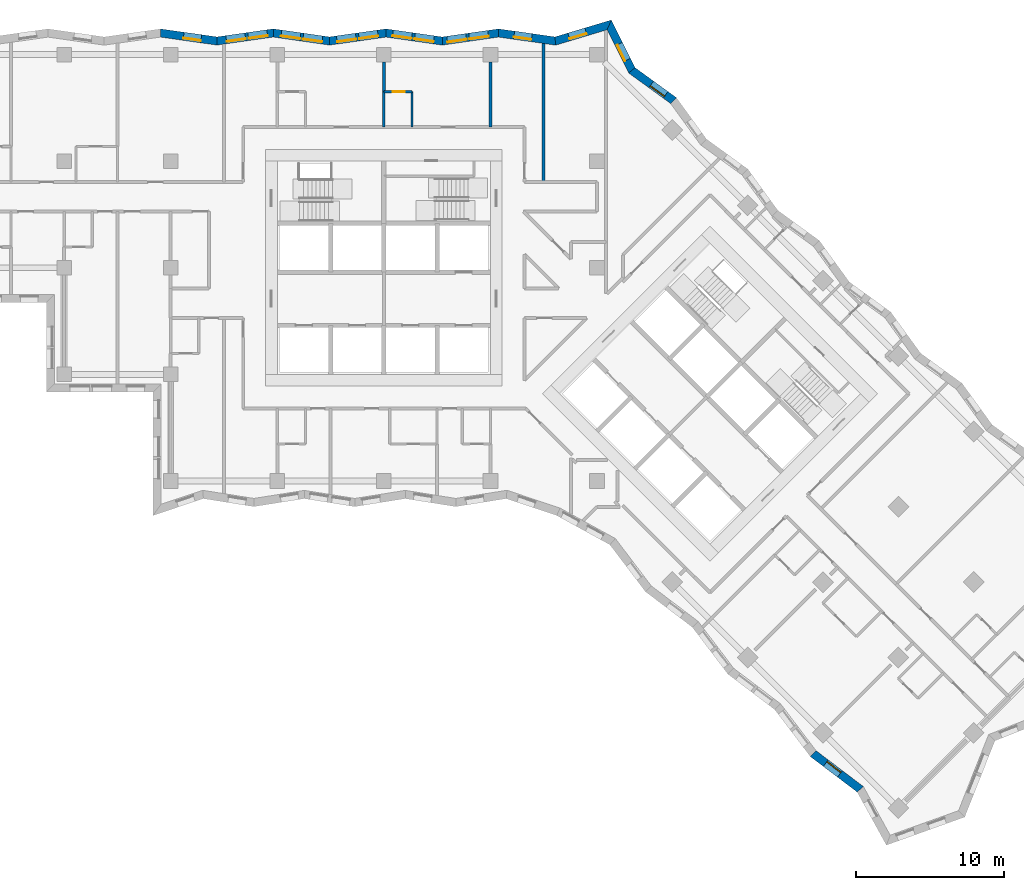
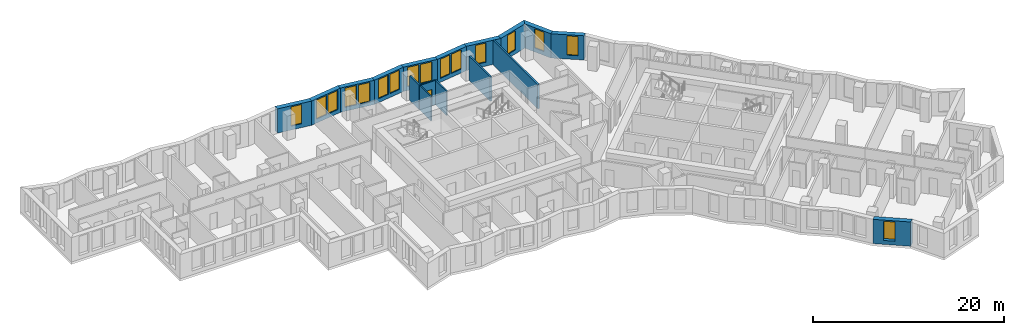
# One storey, part 7 of 13: 17 walls, 16 windows, 1 door, 17 openings.
"""IFC4 building model written with IfcOpenShell, lengths in metres."""

from ifc_helpers import new_model, si_unit, direction, frame, frame_2d, origin, place, context, subcontext, project, spatial, polyline, rectangle, outline, extrude, material, layer, layer_set, type_object, element, fill, save


model = new_model("IFC4")

# Units and contexts
model_context = context("Model", 3, precision=1e-05, world=origin(), true_north=direction((0.0, 1.0)))
body_context = subcontext(model_context, "Body", "Model", "MODEL_VIEW")
ifc_project = project(units=[si_unit("LENGTHUNIT", "METRE"), si_unit("AREAUNIT", "SQUARE_METRE"), si_unit("VOLUMEUNIT", "CUBIC_METRE"), si_unit("PLANEANGLEUNIT", "RADIAN"), si_unit("MASSUNIT", "GRAM", prefix="KILO")], contexts=[model_context])

# Site, building, storey
site_placement = place(None, origin())
site = spatial("IfcSite", under=ifc_project, at=site_placement, CompositionType="ELEMENT")
building_placement = place(site_placement, origin())
building = spatial("IfcBuilding", under=site, at=building_placement, Name="Windrow Commons", CompositionType="ELEMENT")
storey_placement = place(building_placement, frame((0.0, 0.0, 108.4)))
storey = spatial("IfcBuildingStorey", under=building, at=storey_placement, Name="L29", CompositionType="ELEMENT", Elevation=108.4)

# Wall, opening, window
ifc_material_1 = material(Name="Brick masonry, red clay brick", Category="masonry")
ifc_layer_1 = layer(ifc_material_1, 0.55)
ifc_layer_set_1 = layer_set([ifc_layer_1], Name="Brick facade wall 550")
wall_type_1 = type_object("IfcWallType", Name="Brick facade wall 550", PredefinedType="SOLIDWALL", material=ifc_layer_set_1)
wall_1_placement = place(storey_placement, frame((84.3745, 68.8953, 0.0), z_axis=(0.0, 0.0, 1.0), x_axis=(-0.8092715214, 0.5874347663, 0.0)))
wall_1 = element("IfcWall", 1, at=wall_1_placement, inside=storey, type_object=wall_type_1, Name="Brick facade wall L29 19", PredefinedType="SOLIDWALL", context=body_context, shape_type="SweptSolid", body=[
    extrude(outline(polyline([(-0.0437, -0.275), (3.4112, -0.275), (3.546, 0.275), (0.0437, 0.275), (-0.0437, -0.275)])), origin(), (0.0, 0.0, 1.0), 3.1),
])
opening_1_placement = place(wall_1_placement, frame((0.6631, 0.0, 0.5)))
opening_1 = element("IfcOpeningElement", 2, at=opening_1_placement, cuts=wall_1, Name="Opening W7D", PredefinedType="OPENING", context=body_context, shape_type="SweptSolid", body=[
    extrude(rectangle(XDim=1.2, YDim=2.45, at=frame_2d((0.6, 1.225))), frame((0.0, 0.285, 0.0), z_axis=(0.0, -1.0, 0.0), x_axis=(1.0, 0.0, 0.0)), (0.0, 0.0, 1.0), 0.57),
])
ifc_material_2 = material(Name="Clear float glass in anodised aluminium frame", Category="aluminium")
window_type_1 = type_object("IfcWindowType", Name="Window W7 notch 1200x2450", PartitioningType="SINGLE_PANEL", PredefinedType="WINDOW", material=ifc_material_2)
window_1_placement = place(opening_1_placement, origin())
window_1 = element("IfcWindow", 3, at=window_1_placement, inside=storey, type_object=window_type_1, Name="Window L29 19.1", OverallHeight=2.45, OverallWidth=1.2, PartitioningType="SINGLE_PANEL", PredefinedType="WINDOW", context=body_context, shape_type="SweptSolid", body=[
    extrude(rectangle(XDim=1.2, YDim=2.45, at=frame_2d((0.6, 1.225))), frame((0.0, 0.155, 0.0), z_axis=(0.0, -1.0, 0.0), x_axis=(1.0, 0.0, 0.0)), (0.0, 0.0, 1.0), 0.06),
])
fill(opening_1, window_1)

wall_2_placement = place(storey_placement, frame((81.5593, 70.9388, 0.0), z_axis=(0.0, 0.0, 1.0), x_axis=(-0.4461299754, 0.894968181, 0.0)))
wall_2 = element("IfcWall", 4, at=wall_2_placement, inside=storey, type_object=wall_type_1, Name="Brick facade wall L29 20", PredefinedType="SOLIDWALL", context=body_context, shape_type="SweptSolid", body=[
    extrude(outline(polyline([(0.0674, -0.275), (3.6656, -0.275), (3.2024, 0.275), (-0.0674, 0.275), (0.0674, -0.275)])), origin(), (0.0, 0.0, 1.0), 3.1),
])
opening_2_placement = place(wall_2_placement, frame((0.7753, 0.0, 0.5)))
opening_2 = element("IfcOpeningElement", 5, at=opening_2_placement, cuts=wall_2, Name="Opening W7D", PredefinedType="OPENING", context=body_context, shape_type="SweptSolid", body=[
    extrude(rectangle(XDim=1.2, YDim=2.45, at=frame_2d((0.6, 1.225))), frame((0.0, 0.285, 0.0), z_axis=(0.0, -1.0, 0.0), x_axis=(1.0, 0.0, 0.0)), (0.0, 0.0, 1.0), 0.57),
])
window_2_placement = place(opening_2_placement, origin())
window_2 = element("IfcWindow", 6, at=window_2_placement, inside=storey, type_object=window_type_1, Name="Window L29 20.1", OverallHeight=2.45, OverallWidth=1.2, PartitioningType="SINGLE_PANEL", PredefinedType="WINDOW", context=body_context, shape_type="SweptSolid", body=[
    extrude(rectangle(XDim=1.2, YDim=2.45, at=frame_2d((0.6, 1.225))), frame((0.0, 0.155, 0.0), z_axis=(0.0, -1.0, 0.0), x_axis=(1.0, 0.0, 0.0)), (0.0, 0.0, 1.0), 0.06),
])
fill(opening_2, window_2)

wall_3_placement = place(storey_placement, frame((80.0273, 74.0121, 0.0), z_axis=(0.0, 0.0, 1.0), x_axis=(-0.9578284561, -0.2873406493, 0.0)))
wall_3 = element("IfcWall", 7, at=wall_3_placement, inside=storey, type_object=wall_type_1, Name="Brick facade wall L29 21", PredefinedType="SOLIDWALL", context=body_context, shape_type="SweptSolid", body=[
    extrude(outline(polyline([(-0.2316, -0.275), (3.743, -0.275), (3.8639, 0.275), (0.2316, 0.275), (-0.2316, -0.275)])), origin(), (0.0, 0.0, 1.0), 3.1),
])
opening_3_placement = place(wall_3_placement, frame((1.6336, 0.0, 0.5)))
opening_3 = element("IfcOpeningElement", 8, at=opening_3_placement, cuts=wall_3, Name="Opening W7D", PredefinedType="OPENING", context=body_context, shape_type="SweptSolid", body=[
    extrude(rectangle(XDim=1.2, YDim=2.45, at=frame_2d((0.6, 1.225))), frame((0.0, 0.285, 0.0), z_axis=(0.0, -1.0, 0.0), x_axis=(1.0, 0.0, 0.0)), (0.0, 0.0, 1.0), 0.57),
])
window_3_placement = place(opening_3_placement, origin())
window_3 = element("IfcWindow", 9, at=window_3_placement, inside=storey, type_object=window_type_1, Name="Window L29 21.1", OverallHeight=2.45, OverallWidth=1.2, PartitioningType="SINGLE_PANEL", PredefinedType="WINDOW", context=body_context, shape_type="SweptSolid", body=[
    extrude(rectangle(XDim=1.2, YDim=2.45, at=frame_2d((0.6, 1.225))), frame((0.0, 0.155, 0.0), z_axis=(0.0, -1.0, 0.0), x_axis=(1.0, 0.0, 0.0)), (0.0, 0.0, 1.0), 0.06),
])
fill(opening_3, window_3)

wall_4_placement = place(storey_placement, frame((76.3842, 72.9192, 0.0), z_axis=(0.0, 0.0, 1.0), x_axis=(-0.9900171381, 0.1409470338, 0.0)))
wall_4 = element("IfcWall", 10, at=wall_4_placement, inside=storey, type_object=wall_type_1, Name="Brick facade wall L29 22", PredefinedType="SOLIDWALL", context=body_context, shape_type="SweptSolid", body=[
    extrude(outline(polyline([(0.0605, -0.275), (3.9059, -0.275), (3.8276, 0.275), (-0.0605, 0.275), (0.0605, -0.275)])), origin(), (0.0, 0.0, 1.0), 3.1),
])
opening_4_placement = place(wall_4_placement, frame((1.6098, 0.0, 0.5)))
opening_4 = element("IfcOpeningElement", 11, at=opening_4_placement, cuts=wall_4, Name="Opening W7D", PredefinedType="OPENING", context=body_context, shape_type="SweptSolid", body=[
    extrude(rectangle(XDim=1.2, YDim=2.45, at=frame_2d((0.6, 1.225))), frame((0.0, 0.285, 0.0), z_axis=(0.0, -1.0, 0.0), x_axis=(1.0, 0.0, 0.0)), (0.0, 0.0, 1.0), 0.57),
])
window_4_placement = place(opening_4_placement, origin())
window_4 = element("IfcWindow", 12, at=window_4_placement, inside=storey, type_object=window_type_1, Name="Window L29 22.1", OverallHeight=2.45, OverallWidth=1.2, PartitioningType="SINGLE_PANEL", PredefinedType="WINDOW", context=body_context, shape_type="SweptSolid", body=[
    extrude(rectangle(XDim=1.2, YDim=2.45, at=frame_2d((0.6, 1.225))), frame((0.0, 0.155, 0.0), z_axis=(0.0, -1.0, 0.0), x_axis=(1.0, 0.0, 0.0)), (0.0, 0.0, 1.0), 0.06),
])
fill(opening_4, window_4)

# Wall, openings, windows
wall_5_placement = place(storey_placement, frame((72.5561, 73.4642, 0.0), z_axis=(0.0, 0.0, 1.0), x_axis=(-0.990016994, -0.1409480459, 0.0)))
wall_5 = element("IfcWall", 13, at=wall_5_placement, inside=storey, type_object=wall_type_1, Name="Brick facade wall L29 23", PredefinedType="SOLIDWALL", context=body_context, shape_type="SweptSolid", body=[
    extrude(outline(polyline([(-0.0392, -0.275), (3.8062, -0.275), (3.8845, 0.275), (0.0392, 0.275), (-0.0392, -0.275)])), origin(), (0.0, 0.0, 1.0), 3.1),
])
opening_5_placement = place(wall_5_placement, frame((0.7036, 0.0, 0.5)))
opening_5 = element("IfcOpeningElement", 14, at=opening_5_placement, cuts=wall_5, Name="Opening W1P", PredefinedType="OPENING", context=body_context, shape_type="SweptSolid", body=[
    extrude(rectangle(XDim=1.3, YDim=2.45, at=frame_2d((0.65, 1.225))), frame((0.0, 0.285, 0.0), z_axis=(0.0, -1.0, 0.0), x_axis=(1.0, 0.0, 0.0)), (0.0, 0.0, 1.0), 0.57),
])
opening_6_placement = place(wall_5_placement, frame((2.2036, 0.0, 0.5)))
opening_6 = element("IfcOpeningElement", 15, at=opening_6_placement, cuts=wall_5, Name="Opening W1P", PredefinedType="OPENING", context=body_context, shape_type="SweptSolid", body=[
    extrude(rectangle(XDim=1.3, YDim=2.45, at=frame_2d((0.65, 1.225))), frame((0.0, 0.285, 0.0), z_axis=(0.0, -1.0, 0.0), x_axis=(1.0, 0.0, 0.0)), (0.0, 0.0, 1.0), 0.57),
])
ifc_material_3 = material(Name="Clear float glass in anodised aluminium frame", Category="aluminium")
window_type_2 = type_object("IfcWindowType", Name="Window W1P pair 1300x2450", PartitioningType="SINGLE_PANEL", PredefinedType="WINDOW", material=ifc_material_3)
window_5_placement = place(opening_5_placement, origin())
window_5 = element("IfcWindow", 16, at=window_5_placement, inside=storey, type_object=window_type_2, Name="Window L29 23.1A", OverallHeight=2.45, OverallWidth=1.3, PartitioningType="SINGLE_PANEL", PredefinedType="WINDOW", context=body_context, shape_type="SweptSolid", body=[
    extrude(rectangle(XDim=1.3, YDim=2.45, at=frame_2d((0.65, 1.225))), frame((0.0, 0.155, 0.0), z_axis=(0.0, -1.0, 0.0), x_axis=(1.0, 0.0, 0.0)), (0.0, 0.0, 1.0), 0.06),
])
fill(opening_5, window_5)
window_6_placement = place(opening_6_placement, origin())
window_6 = element("IfcWindow", 17, at=window_6_placement, inside=storey, type_object=window_type_2, Name="Window L29 23.1B", OverallHeight=2.45, OverallWidth=1.3, PartitioningType="SINGLE_PANEL", PredefinedType="WINDOW", context=body_context, shape_type="SweptSolid", body=[
    extrude(rectangle(XDim=1.3, YDim=2.45, at=frame_2d((0.65, 1.225))), frame((0.0, 0.155, 0.0), z_axis=(0.0, -1.0, 0.0), x_axis=(1.0, 0.0, 0.0)), (0.0, 0.0, 1.0), 0.06),
])
fill(opening_6, window_6)

wall_6_placement = place(storey_placement, frame((68.7491, 72.9222, 0.0), z_axis=(0.0, 0.0, 1.0), x_axis=(-0.990016994, 0.1409480459, 0.0)))
wall_6 = element("IfcWall", 18, at=wall_6_placement, inside=storey, type_object=wall_type_1, Name="Brick facade wall L29 24", PredefinedType="SOLIDWALL", context=body_context, shape_type="SweptSolid", body=[
    extrude(outline(polyline([(0.0392, -0.275), (3.8845, -0.275), (3.8062, 0.275), (-0.0392, 0.275), (0.0392, -0.275)])), origin(), (0.0, 0.0, 1.0), 3.1),
])
opening_7_placement = place(wall_6_placement, frame((0.5794, 0.0, 0.5)))
opening_7 = element("IfcOpeningElement", 19, at=opening_7_placement, cuts=wall_6, Name="Opening W1P", PredefinedType="OPENING", context=body_context, shape_type="SweptSolid", body=[
    extrude(rectangle(XDim=1.3, YDim=2.45, at=frame_2d((0.65, 1.225))), frame((0.0, 0.285, 0.0), z_axis=(0.0, -1.0, 0.0), x_axis=(1.0, 0.0, 0.0)), (0.0, 0.0, 1.0), 0.57),
])
opening_8_placement = place(wall_6_placement, frame((2.0794, 0.0, 0.5)))
opening_8 = element("IfcOpeningElement", 20, at=opening_8_placement, cuts=wall_6, Name="Opening W1P", PredefinedType="OPENING", context=body_context, shape_type="SweptSolid", body=[
    extrude(rectangle(XDim=1.3, YDim=2.45, at=frame_2d((0.65, 1.225))), frame((0.0, 0.285, 0.0), z_axis=(0.0, -1.0, 0.0), x_axis=(1.0, 0.0, 0.0)), (0.0, 0.0, 1.0), 0.57),
])
window_7_placement = place(opening_7_placement, origin())
window_7 = element("IfcWindow", 21, at=window_7_placement, inside=storey, type_object=window_type_2, Name="Window L29 24.1A", OverallHeight=2.45, OverallWidth=1.3, PartitioningType="SINGLE_PANEL", PredefinedType="WINDOW", context=body_context, shape_type="SweptSolid", body=[
    extrude(rectangle(XDim=1.3, YDim=2.45, at=frame_2d((0.65, 1.225))), frame((0.0, 0.155, 0.0), z_axis=(0.0, -1.0, 0.0), x_axis=(1.0, 0.0, 0.0)), (0.0, 0.0, 1.0), 0.06),
])
fill(opening_7, window_7)
window_8_placement = place(opening_8_placement, origin())
window_8 = element("IfcWindow", 22, at=window_8_placement, inside=storey, type_object=window_type_2, Name="Window L29 24.1B", OverallHeight=2.45, OverallWidth=1.3, PartitioningType="SINGLE_PANEL", PredefinedType="WINDOW", context=body_context, shape_type="SweptSolid", body=[
    extrude(rectangle(XDim=1.3, YDim=2.45, at=frame_2d((0.65, 1.225))), frame((0.0, 0.155, 0.0), z_axis=(0.0, -1.0, 0.0), x_axis=(1.0, 0.0, 0.0)), (0.0, 0.0, 1.0), 0.06),
])
fill(opening_8, window_8)

wall_7_placement = place(storey_placement, frame((64.9421, 73.4642, 0.0), z_axis=(0.0, 0.0, 1.0), x_axis=(-0.990016994, -0.1409480459, 0.0)))
wall_7 = element("IfcWall", 23, at=wall_7_placement, inside=storey, type_object=wall_type_1, Name="Brick facade wall L29 25", PredefinedType="SOLIDWALL", context=body_context, shape_type="SweptSolid", body=[
    extrude(outline(polyline([(-0.0392, -0.275), (3.8062, -0.275), (3.8845, 0.275), (0.0392, 0.275), (-0.0392, -0.275)])), origin(), (0.0, 0.0, 1.0), 3.1),
])
opening_9_placement = place(wall_7_placement, frame((0.5423, 0.0, 0.5)))
opening_9 = element("IfcOpeningElement", 24, at=opening_9_placement, cuts=wall_7, Name="Opening W1P", PredefinedType="OPENING", context=body_context, shape_type="SweptSolid", body=[
    extrude(rectangle(XDim=1.3, YDim=2.45, at=frame_2d((0.65, 1.225))), frame((0.0, 0.285, 0.0), z_axis=(0.0, -1.0, 0.0), x_axis=(1.0, 0.0, 0.0)), (0.0, 0.0, 1.0), 0.57),
])
opening_10_placement = place(wall_7_placement, frame((2.0423, 0.0, 0.5)))
opening_10 = element("IfcOpeningElement", 25, at=opening_10_placement, cuts=wall_7, Name="Opening W1P", PredefinedType="OPENING", context=body_context, shape_type="SweptSolid", body=[
    extrude(rectangle(XDim=1.3, YDim=2.45, at=frame_2d((0.65, 1.225))), frame((0.0, 0.285, 0.0), z_axis=(0.0, -1.0, 0.0), x_axis=(1.0, 0.0, 0.0)), (0.0, 0.0, 1.0), 0.57),
])
window_9_placement = place(opening_9_placement, origin())
window_9 = element("IfcWindow", 26, at=window_9_placement, inside=storey, type_object=window_type_2, Name="Window L29 25.1A", OverallHeight=2.45, OverallWidth=1.3, PartitioningType="SINGLE_PANEL", PredefinedType="WINDOW", context=body_context, shape_type="SweptSolid", body=[
    extrude(rectangle(XDim=1.3, YDim=2.45, at=frame_2d((0.65, 1.225))), frame((0.0, 0.155, 0.0), z_axis=(0.0, -1.0, 0.0), x_axis=(1.0, 0.0, 0.0)), (0.0, 0.0, 1.0), 0.06),
])
fill(opening_9, window_9)
window_10_placement = place(opening_10_placement, origin())
window_10 = element("IfcWindow", 27, at=window_10_placement, inside=storey, type_object=window_type_2, Name="Window L29 25.1B", OverallHeight=2.45, OverallWidth=1.3, PartitioningType="SINGLE_PANEL", PredefinedType="WINDOW", context=body_context, shape_type="SweptSolid", body=[
    extrude(rectangle(XDim=1.3, YDim=2.45, at=frame_2d((0.65, 1.225))), frame((0.0, 0.155, 0.0), z_axis=(0.0, -1.0, 0.0), x_axis=(1.0, 0.0, 0.0)), (0.0, 0.0, 1.0), 0.06),
])
fill(opening_10, window_10)

wall_8_placement = place(storey_placement, frame((61.1351, 72.9222, 0.0), z_axis=(0.0, 0.0, 1.0), x_axis=(-0.990016994, 0.1409480459, 0.0)))
wall_8 = element("IfcWall", 28, at=wall_8_placement, inside=storey, type_object=wall_type_1, Name="Brick facade wall L29 26", PredefinedType="SOLIDWALL", context=body_context, shape_type="SweptSolid", body=[
    extrude(outline(polyline([(0.0392, -0.275), (3.8845, -0.275), (3.8062, 0.275), (-0.0392, 0.275), (0.0392, -0.275)])), origin(), (0.0, 0.0, 1.0), 3.1),
])
opening_11_placement = place(wall_8_placement, frame((0.5031, 0.0, 0.5)))
opening_11 = element("IfcOpeningElement", 29, at=opening_11_placement, cuts=wall_8, Name="Opening W1P", PredefinedType="OPENING", context=body_context, shape_type="SweptSolid", body=[
    extrude(rectangle(XDim=1.3, YDim=2.45, at=frame_2d((0.65, 1.225))), frame((0.0, 0.285, 0.0), z_axis=(0.0, -1.0, 0.0), x_axis=(1.0, 0.0, 0.0)), (0.0, 0.0, 1.0), 0.57),
])
opening_12_placement = place(wall_8_placement, frame((2.0031, 0.0, 0.5)))
opening_12 = element("IfcOpeningElement", 30, at=opening_12_placement, cuts=wall_8, Name="Opening W1P", PredefinedType="OPENING", context=body_context, shape_type="SweptSolid", body=[
    extrude(rectangle(XDim=1.3, YDim=2.45, at=frame_2d((0.65, 1.225))), frame((0.0, 0.285, 0.0), z_axis=(0.0, -1.0, 0.0), x_axis=(1.0, 0.0, 0.0)), (0.0, 0.0, 1.0), 0.57),
])
window_11_placement = place(opening_11_placement, origin())
window_11 = element("IfcWindow", 31, at=window_11_placement, inside=storey, type_object=window_type_2, Name="Window L29 26.1A", OverallHeight=2.45, OverallWidth=1.3, PartitioningType="SINGLE_PANEL", PredefinedType="WINDOW", context=body_context, shape_type="SweptSolid", body=[
    extrude(rectangle(XDim=1.3, YDim=2.45, at=frame_2d((0.65, 1.225))), frame((0.0, 0.155, 0.0), z_axis=(0.0, -1.0, 0.0), x_axis=(1.0, 0.0, 0.0)), (0.0, 0.0, 1.0), 0.06),
])
fill(opening_11, window_11)
window_12_placement = place(opening_12_placement, origin())
window_12 = element("IfcWindow", 32, at=window_12_placement, inside=storey, type_object=window_type_2, Name="Window L29 26.1B", OverallHeight=2.45, OverallWidth=1.3, PartitioningType="SINGLE_PANEL", PredefinedType="WINDOW", context=body_context, shape_type="SweptSolid", body=[
    extrude(rectangle(XDim=1.3, YDim=2.45, at=frame_2d((0.65, 1.225))), frame((0.0, 0.155, 0.0), z_axis=(0.0, -1.0, 0.0), x_axis=(1.0, 0.0, 0.0)), (0.0, 0.0, 1.0), 0.06),
])
fill(opening_12, window_12)

wall_9_placement = place(storey_placement, frame((57.3281, 73.4642, 0.0), z_axis=(0.0, 0.0, 1.0), x_axis=(-0.990016994, -0.1409480459, 0.0)))
wall_9 = element("IfcWall", 33, at=wall_9_placement, inside=storey, type_object=wall_type_1, Name="Brick facade wall L29 27", PredefinedType="SOLIDWALL", context=body_context, shape_type="SweptSolid", body=[
    extrude(outline(polyline([(-0.0392, -0.275), (3.8062, -0.275), (3.8845, 0.275), (0.0392, 0.275), (-0.0392, -0.275)])), origin(), (0.0, 0.0, 1.0), 3.1),
])
opening_13_placement = place(wall_9_placement, frame((0.4004, 0.0, 0.5)))
opening_13 = element("IfcOpeningElement", 34, at=opening_13_placement, cuts=wall_9, Name="Opening W1P", PredefinedType="OPENING", context=body_context, shape_type="SweptSolid", body=[
    extrude(rectangle(XDim=1.3, YDim=2.45, at=frame_2d((0.65, 1.225))), frame((0.0, 0.285, 0.0), z_axis=(0.0, -1.0, 0.0), x_axis=(1.0, 0.0, 0.0)), (0.0, 0.0, 1.0), 0.57),
])
opening_14_placement = place(wall_9_placement, frame((1.9004, 0.0, 0.5)))
opening_14 = element("IfcOpeningElement", 35, at=opening_14_placement, cuts=wall_9, Name="Opening W1P", PredefinedType="OPENING", context=body_context, shape_type="SweptSolid", body=[
    extrude(rectangle(XDim=1.3, YDim=2.45, at=frame_2d((0.65, 1.225))), frame((0.0, 0.285, 0.0), z_axis=(0.0, -1.0, 0.0), x_axis=(1.0, 0.0, 0.0)), (0.0, 0.0, 1.0), 0.57),
])
window_13_placement = place(opening_13_placement, origin())
window_13 = element("IfcWindow", 36, at=window_13_placement, inside=storey, type_object=window_type_2, Name="Window L29 27.1A", OverallHeight=2.45, OverallWidth=1.3, PartitioningType="SINGLE_PANEL", PredefinedType="WINDOW", context=body_context, shape_type="SweptSolid", body=[
    extrude(rectangle(XDim=1.3, YDim=2.45, at=frame_2d((0.65, 1.225))), frame((0.0, 0.155, 0.0), z_axis=(0.0, -1.0, 0.0), x_axis=(1.0, 0.0, 0.0)), (0.0, 0.0, 1.0), 0.06),
])
fill(opening_13, window_13)
window_14_placement = place(opening_14_placement, origin())
window_14 = element("IfcWindow", 37, at=window_14_placement, inside=storey, type_object=window_type_2, Name="Window L29 27.1B", OverallHeight=2.45, OverallWidth=1.3, PartitioningType="SINGLE_PANEL", PredefinedType="WINDOW", context=body_context, shape_type="SweptSolid", body=[
    extrude(rectangle(XDim=1.3, YDim=2.45, at=frame_2d((0.65, 1.225))), frame((0.0, 0.155, 0.0), z_axis=(0.0, -1.0, 0.0), x_axis=(1.0, 0.0, 0.0)), (0.0, 0.0, 1.0), 0.06),
])
fill(opening_14, window_14)

# Wall, opening, window
wall_10_placement = place(storey_placement, frame((53.5211, 72.9222, 0.0), z_axis=(0.0, 0.0, 1.0), x_axis=(-0.990016994, 0.1409480459, 0.0)))
wall_10 = element("IfcWall", 38, at=wall_10_placement, inside=storey, type_object=wall_type_1, Name="Brick facade wall L29 28", PredefinedType="SOLIDWALL", context=body_context, shape_type="SweptSolid", body=[
    extrude(outline(polyline([(0.0392, -0.275), (3.8845, -0.275), (3.8062, 0.275), (-0.0392, 0.275), (0.0392, -0.275)])), origin(), (0.0, 0.0, 1.0), 3.1),
])
opening_15_placement = place(wall_10_placement, frame((1.0763, 0.0, 0.5)))
opening_15 = element("IfcOpeningElement", 39, at=opening_15_placement, cuts=wall_10, Name="Opening W7D", PredefinedType="OPENING", context=body_context, shape_type="SweptSolid", body=[
    extrude(rectangle(XDim=1.2, YDim=2.45, at=frame_2d((0.6, 1.225))), frame((0.0, 0.285, 0.0), z_axis=(0.0, -1.0, 0.0), x_axis=(1.0, 0.0, 0.0)), (0.0, 0.0, 1.0), 0.57),
])
window_15_placement = place(opening_15_placement, origin())
window_15 = element("IfcWindow", 40, at=window_15_placement, inside=storey, type_object=window_type_1, Name="Window L29 28.1", OverallHeight=2.45, OverallWidth=1.2, PartitioningType="SINGLE_PANEL", PredefinedType="WINDOW", context=body_context, shape_type="SweptSolid", body=[
    extrude(rectangle(XDim=1.2, YDim=2.45, at=frame_2d((0.6, 1.225))), frame((0.0, 0.155, 0.0), z_axis=(0.0, -1.0, 0.0), x_axis=(1.0, 0.0, 0.0)), (0.0, 0.0, 1.0), 0.06),
])
fill(opening_15, window_15)

wall_11_placement = place(storey_placement, frame((93.8092, 24.7729, 0.0), z_axis=(0.0, 0.0, 1.0), x_axis=(0.7969168783, -0.6040889745, 0.0)))
wall_11 = element("IfcWall", 41, at=wall_11_placement, inside=storey, type_object=wall_type_1, Name="Brick facade wall L29 58", PredefinedType="SOLIDWALL", context=body_context, shape_type="SweptSolid", body=[
    extrude(outline(polyline([(-0.0379, -0.275), (3.9368, -0.275), (4.0538, 0.275), (0.0379, 0.275), (-0.0379, -0.275)])), origin(), (0.0, 0.0, 1.0), 3.1),
])
opening_16_placement = place(wall_11_placement, frame((1.071, 0.0, 0.5)))
opening_16 = element("IfcOpeningElement", 42, at=opening_16_placement, cuts=wall_11, Name="Opening W7D", PredefinedType="OPENING", context=body_context, shape_type="SweptSolid", body=[
    extrude(rectangle(XDim=1.2, YDim=2.45, at=frame_2d((0.6, 1.225))), frame((0.0, 0.285, 0.0), z_axis=(0.0, -1.0, 0.0), x_axis=(1.0, 0.0, 0.0)), (0.0, 0.0, 1.0), 0.57),
])
window_16_placement = place(opening_16_placement, origin())
window_16 = element("IfcWindow", 43, at=window_16_placement, inside=storey, type_object=window_type_1, Name="Window L29 58.1", OverallHeight=2.45, OverallWidth=1.2, PartitioningType="SINGLE_PANEL", PredefinedType="WINDOW", context=body_context, shape_type="SweptSolid", body=[
    extrude(rectangle(XDim=1.2, YDim=2.45, at=frame_2d((0.6, 1.225))), frame((0.0, 0.155, 0.0), z_axis=(0.0, -1.0, 0.0), x_axis=(1.0, 0.0, 0.0)), (0.0, 0.0, 1.0), 0.06),
])
fill(opening_16, window_16)

# Walls
ifc_material_4 = material(Name="Blockwork partition", Category="masonry")
ifc_layer_2 = layer(ifc_material_4, 0.15)
ifc_layer_set_2 = layer_set([ifc_layer_2], Name="IW-ENSUITE-150")
wall_type_2 = type_object("IfcWallType", Name="IW-ENSUITE-150", PredefinedType="PARTITIONING", material=ifc_layer_set_2)
for number, where, z_axis, x_axis, name in (
    (44, (64.8, 67.1, 0.0), (0.0, 0.0, 1.0), (0.0, 1.0, 0.0), "W-L29-W074"),
    (45, (66.7, 67.1, 0.0), (0.0, 0.0, 1.0), (0.0, 1.0, 0.0), "W-L29-W075"),
):
    element("IfcWall", number, at=place(storey_placement, frame(where, z_axis=z_axis, x_axis=x_axis)), inside=storey, type_object=wall_type_2, Name=name, PredefinedType="PARTITIONING", context=body_context, shape_type="SweptSolid", body=[
        extrude(rectangle(XDim=2.4, YDim=0.15, at=frame_2d((1.2, 0.0))), origin(), (0.0, 0.0, 1.0), 3.1),
    ])

# Wall, opening, door
wall_12_placement = place(storey_placement, frame((64.8, 69.5, 0.0), z_axis=(0.0, 0.0, 1.0), x_axis=(1.0, 0.0, 0.0)))
wall_12 = element("IfcWall", 46, at=wall_12_placement, inside=storey, type_object=wall_type_2, Name="W-L29-W120", PredefinedType="PARTITIONING", context=body_context, shape_type="SweptSolid", body=[
    extrude(rectangle(XDim=1.9, YDim=0.15, at=frame_2d((0.95, 0.0))), origin(), (0.0, 0.0, 1.0), 3.1),
])
opening_17_placement = place(wall_12_placement, frame((0.6069, 0.0, 0.0)))
opening_17 = element("IfcOpeningElement", 47, at=opening_17_placement, cuts=wall_12, Name="Opening D208N", PredefinedType="OPENING", context=body_context, shape_type="SweptSolid", body=[
    extrude(rectangle(XDim=0.8, YDim=2.1, at=frame_2d((0.4, 1.05))), frame((0.0, 0.085, 0.0), z_axis=(0.0, -1.0, 0.0), x_axis=(1.0, 0.0, 0.0)), (0.0, 0.0, 1.0), 0.17),
])
ifc_material_5 = material(Name="Timber door leaf", Category="wood")
door_type = type_object("IfcDoorType", Name="DT-ENSUITE-800", OperationType="SINGLE_SWING_LEFT", PredefinedType="DOOR", material=ifc_material_5)
door_placement = place(opening_17_placement, origin())
door = element("IfcDoor", 48, at=door_placement, inside=storey, type_object=door_type, Name="D-L29-D027", OperationType="SINGLE_SWING_RIGHT", OverallHeight=2.1, OverallWidth=0.8, PredefinedType="DOOR", context=body_context, shape_type="SweptSolid", body=[
    extrude(rectangle(XDim=0.8, YDim=2.1, at=frame_2d((0.4, 1.05))), frame((0.0, 0.025, 0.0), z_axis=(0.0, -1.0, 0.0), x_axis=(1.0, 0.0, 0.0)), (0.0, 0.0, 1.0), 0.05),
])
fill(opening_17, door)

# Walls
ifc_material_6 = material(Name="Blockwork partition", Category="masonry")
ifc_layer_3 = layer(ifc_material_6, 0.2)
ifc_layer_set_3 = layer_set([ifc_layer_3], Name="IW-PARTY-200")
wall_type_3 = type_object("IfcWallType", Name="IW-PARTY-200", PredefinedType="PARTITIONING", material=ifc_layer_set_3)
wall_13_placement = place(storey_placement, frame((75.6, 63.4, 0.0), z_axis=(0.0, 0.0, 1.0), x_axis=(0.0, 1.0, 0.0)))
element("IfcWall", 49, at=wall_13_placement, inside=storey, type_object=wall_type_3, Name="W-L29-W014", PredefinedType="PARTITIONING", context=body_context, shape_type="SweptSolid", body=[
    extrude(rectangle(XDim=9.3531, YDim=0.2, at=frame_2d((4.6765, 0.0))), origin(), (0.0, 0.0, 1.0), 3.1),
])
wall_14_placement = place(storey_placement, frame((72.0, 67.1, 0.0), z_axis=(0.0, 0.0, 1.0), x_axis=(0.0, 1.0, 0.0)))
element("IfcWall", 50, at=wall_14_placement, inside=storey, type_object=wall_type_3, Name="W-L29-W046", PredefinedType="PARTITIONING", context=body_context, shape_type="SweptSolid", body=[
    extrude(rectangle(XDim=4.4, YDim=0.2, at=frame_2d((2.2, 0.0))), origin(), (0.0, 0.0, 1.0), 3.1),
])
wall_15_placement = place(storey_placement, frame((64.8, 69.5, 0.0), z_axis=(0.0, 0.0, 1.0), x_axis=(0.0, 1.0, 0.0)))
element("IfcWall", 51, at=wall_15_placement, inside=storey, type_object=wall_type_3, Name="W-L29-W109", PredefinedType="PARTITIONING", context=body_context, shape_type="SweptSolid", body=[
    extrude(rectangle(XDim=2.0, YDim=0.2, at=frame_2d((1.0, 0.0))), origin(), (0.0, 0.0, 1.0), 3.1),
])

save(model, "model.ifc")
